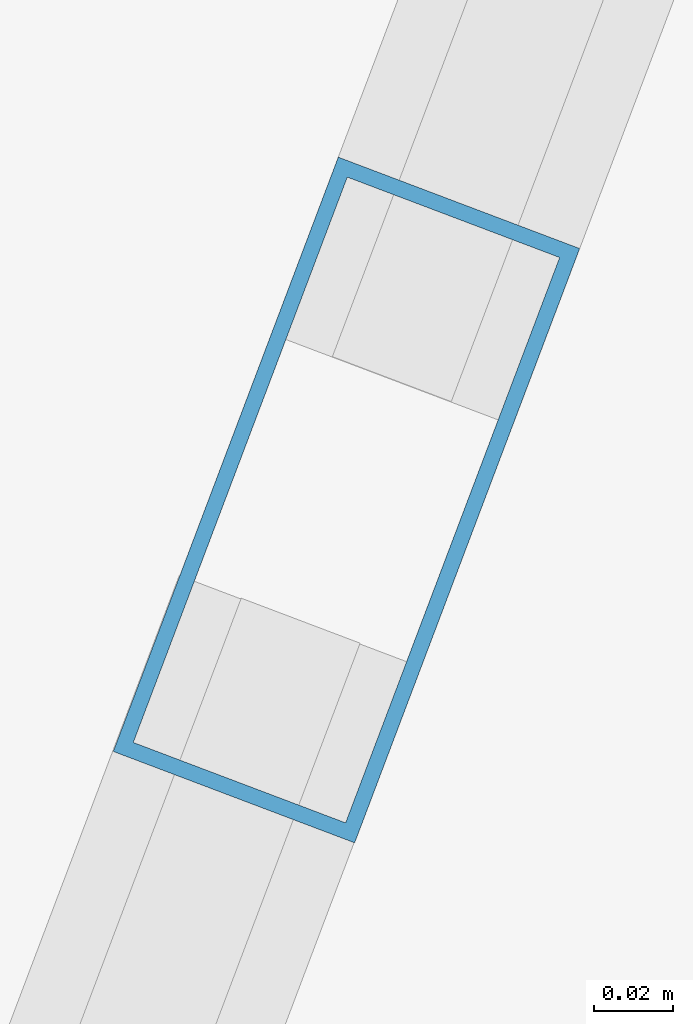
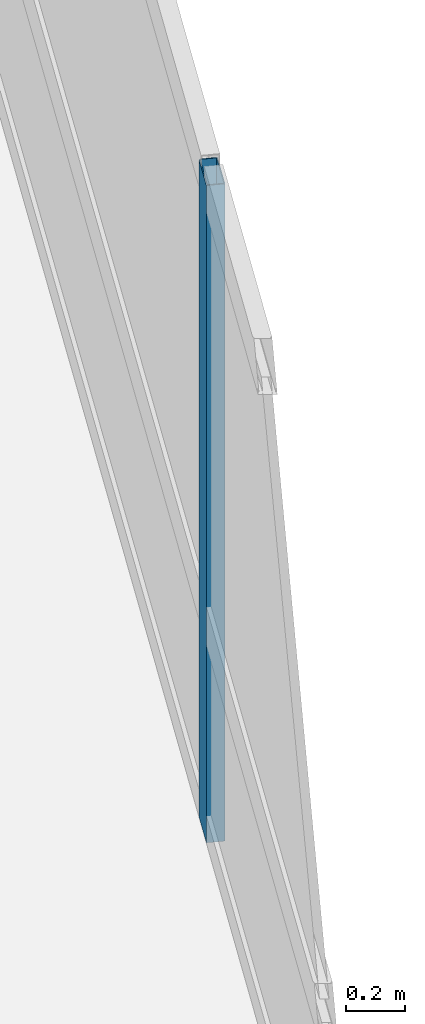
# One storey, part 14 of 25: 1 member, 1 element without a shape of its own.
"""IFC4 building model written with IfcOpenShell, lengths in metres."""

from ifc_helpers import new_model, si_unit, direction, frame, origin, origin_2d, place, context, subcontext, project, spatial, hollow_rectangle, extrude, material, layer, layer_set, material_profile, profile_set, type_object, element, aggregate, save


model = new_model("IFC4")

# Units and contexts
model_context = context("Model", 3, precision=1e-05, world=origin(), true_north=direction((0.0, 1.0)))
body_context = subcontext(model_context, "Body", "Model", "MODEL_VIEW")
ifc_project = project(units=[si_unit("LENGTHUNIT", "METRE"), si_unit("AREAUNIT", "SQUARE_METRE"), si_unit("VOLUMEUNIT", "CUBIC_METRE"), si_unit("PLANEANGLEUNIT", "RADIAN"), si_unit("MASSUNIT", "GRAM", prefix="KILO")], contexts=[model_context])

# Site, building, storey
site_placement = place(None, origin())
site = spatial("IfcSite", under=ifc_project, at=site_placement, CompositionType="ELEMENT")
building_placement = place(site_placement, origin())
building = spatial("IfcBuilding", under=site, at=building_placement, Name="Varnelok Gate Tower", CompositionType="ELEMENT")
storey_placement = place(building_placement, frame((0.0, 0.0, 76.199951171875)))
storey = spatial("IfcBuildingStorey", under=building, at=storey_placement, Name="L18", CompositionType="ELEMENT", Elevation=76.199951171875)

# Curtain wall, member
ifc_material = material(Name="Anodized Aluminum Alloy 6063-T6", Category="aluminium")
ifc_layer = layer(ifc_material, 0.179931640625)
ifc_layer_set = layer_set([ifc_layer], Name="Anodized Aluminum Alloy 6063-T6")
curtain_wall_type = type_object("IfcCurtainWallType", Name="CW3-HOTEL-VISION", PredefinedType="USERDEFINED", material=ifc_layer_set)
curtain_wall_placement = place(storey_placement, origin())
curtain_wall = element("IfcCurtainWall", 1, at=curtain_wall_placement, inside=storey, type_object=curtain_wall_type, Name="L18 East End Vision Curtain Wall", ObjectType="UNITISED CURTAIN WALL", PredefinedType="USERDEFINED")
ifc_material_profile = material_profile(ifc_material, hollow_rectangle(XDim=0.06494140625, YDim=0.159912109375, WallThickness=0.00390625, at=origin_2d()), Name="ALU160X65X4")
ifc_profile_set = profile_set([ifc_material_profile], Name="Anodized Aluminum Alloy 6063-T6")
member_type = type_object("IfcMemberType", Name="CW-MULL-160", PredefinedType="MULLION", material=ifc_profile_set)
member_placement = place(storey_placement, frame((77.8916015625, 22.26416015625, 0.0), z_axis=(0.0, 0.0, 1.0), x_axis=(0.935221323688, -0.354063660545, 0.0)))
member = element("IfcMember", 2, at=member_placement, type_object=member_type, Name="CW3 mullion 2", PredefinedType="MULLION", context=body_context, shape_type="SweptSolid", body=[
    extrude(hollow_rectangle(XDim=0.06494140625, YDim=0.159912109375, WallThickness=0.00390625, at=origin_2d()), origin(), (0.0, 0.0, 1.0), 2.72998046875),
])
aggregate(curtain_wall, [member])

save(model, "model.ifc")
